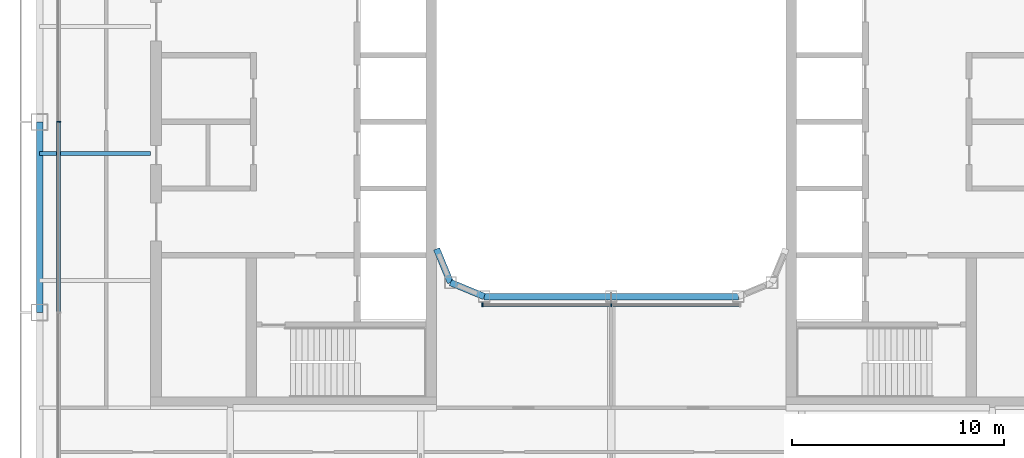
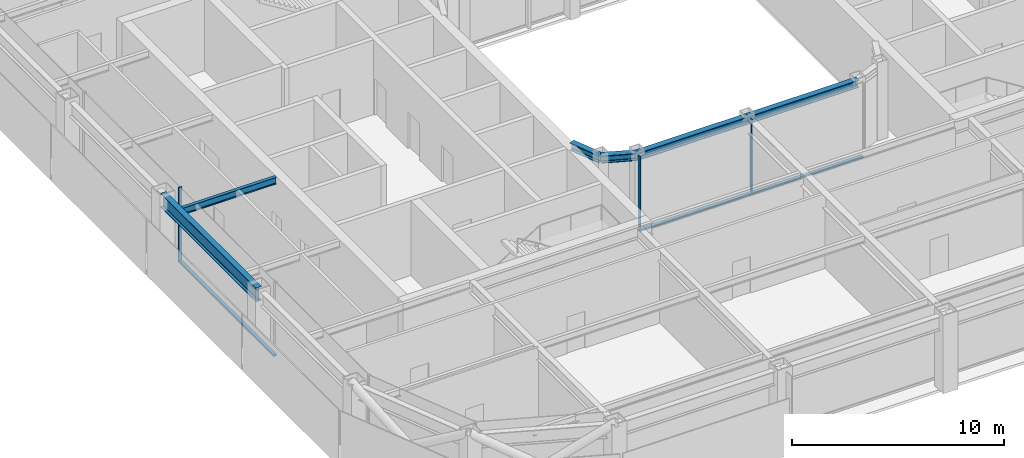
# One storey, part 3 of 23: 6 beams, 6 members, 2 elements without a shape of their own.
"""IFC4 building model written with IfcOpenShell, lengths in metres."""

from ifc_helpers import new_model, si_unit, direction, frame, origin, origin_2d, place, context, subcontext, project, spatial, rectangle, i_section, extrude, material, layer, layer_set, material_profile, profile_set, type_object, element, aggregate, save


model = new_model("IFC4")

# Units and contexts
model_context = context("Model", 3, precision=1e-05, world=origin(), true_north=direction((0.0, 1.0)))
body_context = subcontext(model_context, "Body", "Model", "MODEL_VIEW")
ifc_project = project(units=[si_unit("LENGTHUNIT", "METRE"), si_unit("AREAUNIT", "SQUARE_METRE"), si_unit("VOLUMEUNIT", "CUBIC_METRE"), si_unit("PLANEANGLEUNIT", "RADIAN"), si_unit("MASSUNIT", "GRAM", prefix="KILO")], contexts=[model_context])

# Site, building, storey
site_placement = place(None, origin())
site = spatial("IfcSite", under=ifc_project, at=site_placement, CompositionType="ELEMENT")
building_placement = place(site_placement, origin())
building = spatial("IfcBuilding", under=site, at=building_placement, Name="Siwar Civic Tower", CompositionType="ELEMENT")
storey_placement = place(building_placement, frame((0.0, 0.0, 273.699951171875)))
storey = spatial("IfcBuildingStorey", under=building, at=storey_placement, Name="L59", CompositionType="ELEMENT", Elevation=273.699951171875)

# Curtain wall, member
ifc_material_1 = material(Name="Aluminium and glass", Category="aluminium")
ifc_layer_1 = layer(ifc_material_1, 0.179931640625)
ifc_layer_set_1 = layer_set([ifc_layer_1], Name="Aluminium and glass")
curtain_wall_type_1 = type_object("IfcCurtainWallType", Name="ENV-CW-C", PredefinedType="NOTDEFINED", material=ifc_layer_set_1)
curtain_wall_1_placement = place(storey_placement, origin())
curtain_wall_1 = element("IfcCurtainWall", 1, at=curtain_wall_1_placement, inside=storey, type_object=curtain_wall_type_1, Name="Curtain wall C W", PredefinedType="NOTDEFINED")
ifc_material_2 = material(Name="Aluminium 6063-T6", Category="aluminium")
ifc_material_profile_1 = material_profile(ifc_material_2, rectangle(XDim=0.179931640625, YDim=0.06005859375, at=origin_2d()), Name="AL 180x60")
ifc_profile_set_1 = profile_set([ifc_material_profile_1], Name="Aluminium 6063-T6")
member_type_1 = type_object("IfcMemberType", Name="ENV-MULLION-C", PredefinedType="MULLION", material=ifc_profile_set_1)
member_1_placement = place(storey_placement, frame((-26.10009765625, 0.0, 0.0), z_axis=(0.0, 0.0, 1.0), x_axis=(1.0, 0.0, 0.0)))
member_1 = element("IfcMember", 2, at=member_1_placement, type_object=member_type_1, Name="Mullion C W 3", PredefinedType="MULLION", context=body_context, shape_type="SweptSolid", body=[
    extrude(rectangle(XDim=0.179931640625, YDim=0.06005859375, at=origin_2d()), origin(), (0.0, 0.0, 1.0), 4.300048828125),
])

# Curtain wall, members
ifc_material_3 = material(Name="Aluminium and glass", Category="aluminium")
ifc_layer_2 = layer(ifc_material_3, 0.179931640625)
ifc_layer_set_2 = layer_set([ifc_layer_2], Name="Aluminium and glass")
curtain_wall_type_2 = type_object("IfcCurtainWallType", Name="ENV-CW-W", PredefinedType="NOTDEFINED", material=ifc_layer_set_2)
curtain_wall_2_placement = place(storey_placement, origin())
curtain_wall_2 = element("IfcCurtainWall", 3, at=curtain_wall_2_placement, inside=storey, type_object=curtain_wall_type_2, Name="Curtain wall W WS", PredefinedType="NOTDEFINED")
ifc_material_4 = material(Name="Aluminium 6063-T6", Category="aluminium")
ifc_material_profile_2 = material_profile(ifc_material_4, rectangle(XDim=0.179931640625, YDim=0.06005859375, at=origin_2d()), Name="AL 180x60")
ifc_profile_set_2 = profile_set([ifc_material_profile_2], Name="Aluminium 6063-T6")
member_type_2 = type_object("IfcMemberType", Name="ENV-MULLION-W", PredefinedType="MULLION", material=ifc_profile_set_2)
member_2_placement = place(storey_placement, frame((-6.07666015625, -8.635009765625, 0.0), z_axis=(0.0, 0.0, 1.0), x_axis=(0.0, 1.0, 0.0)))
member_2 = element("IfcMember", 4, at=member_2_placement, type_object=member_type_2, Name="Mullion W WS 1", PredefinedType="MULLION", context=body_context, shape_type="SweptSolid", body=[
    extrude(rectangle(XDim=0.179931640625, YDim=0.06005859375, at=origin_2d()), origin(), (0.0, 0.0, 1.0), 4.300048828125),
])
member_3_placement = place(storey_placement, frame((0.0, -8.635009765625, 0.0), z_axis=(0.0, 0.0, 1.0), x_axis=(0.0, 1.0, 0.0)))
member_3 = element("IfcMember", 5, at=member_3_placement, type_object=member_type_2, Name="Mullion W WS 2", PredefinedType="MULLION", context=body_context, shape_type="SweptSolid", body=[
    extrude(rectangle(XDim=0.179931640625, YDim=0.06005859375, at=origin_2d()), origin(), (0.0, 0.0, 1.0), 4.300048828125),
])

# Member
ifc_material_5 = material(Name="Aluminium 6063-T6", Category="aluminium")
ifc_material_profile_3 = material_profile(ifc_material_5, rectangle(XDim=0.179931640625, YDim=0.10009765625, at=origin_2d()), Name="AL 180x100")
ifc_profile_set_3 = profile_set([ifc_material_profile_3], Name="Aluminium 6063-T6")
member_type_3 = type_object("IfcMemberType", Name="ENV-TRANSOM-C", PredefinedType="USERDEFINED", material=ifc_profile_set_3)
member_4_placement = place(storey_placement, frame((-26.10009765625, -0.030029296875, 0.050048828125), z_axis=(0.0, -1.0, 0.0), x_axis=(1.0, 0.0, 0.0)))
member_4 = element("IfcMember", 6, at=member_4_placement, type_object=member_type_3, Name="Transom C W 3", ObjectType="TRANSOM", PredefinedType="USERDEFINED", context=body_context, shape_type="SweptSolid", body=[
    extrude(rectangle(XDim=0.179931640625, YDim=0.10009765625, at=origin_2d()), origin(), (0.0, 0.0, 1.0), 8.93994140625),
])

aggregate(curtain_wall_1, [member_1, member_4])

ifc_material_6 = material(Name="Aluminium 6063-T6", Category="aluminium")
ifc_material_profile_4 = material_profile(ifc_material_6, rectangle(XDim=0.179931640625, YDim=0.10009765625, at=origin_2d()), Name="AL 180x100")
ifc_profile_set_4 = profile_set([ifc_material_profile_4], Name="Aluminium 6063-T6")
member_type_4 = type_object("IfcMemberType", Name="ENV-TRANSOM-W", PredefinedType="USERDEFINED", material=ifc_profile_set_4)
member_5_placement = place(storey_placement, frame((-6.046630859375, -8.635009765625, 0.050048828125), z_axis=(1.0, 0.0, 0.0), x_axis=(0.0, 1.0, 0.0)))
member_5 = element("IfcMember", 7, at=member_5_placement, type_object=member_type_4, Name="Transom W WS 1", ObjectType="TRANSOM", PredefinedType="USERDEFINED", context=body_context, shape_type="SweptSolid", body=[
    extrude(rectangle(XDim=0.179931640625, YDim=0.10009765625, at=origin_2d()), origin(), (0.0, 0.0, 1.0), 6.0166015625),
])

member_6_placement = place(storey_placement, frame((0.030029296875, -8.635009765625, 0.050048828125), z_axis=(1.0, 0.0, 0.0), x_axis=(0.0, 1.0, 0.0)))
member_6 = element("IfcMember", 8, at=member_6_placement, type_object=member_type_4, Name="Transom W WS 2", ObjectType="TRANSOM", PredefinedType="USERDEFINED", context=body_context, shape_type="SweptSolid", body=[
    extrude(rectangle(XDim=0.179931640625, YDim=0.10009765625, at=origin_2d()), origin(), (0.0, 0.0, 1.0), 6.0166015625),
])

aggregate(curtain_wall_2, [member_2, member_3, member_5, member_6])

# Beams
ifc_material_7 = material(Name="Steel S355", Category="steel")
ifc_material_profile_5 = material_profile(ifc_material_7, i_section(OverallWidth=0.179931640625, OverallDepth=0.39990234375, WebThickness=0.008544921875, FlangeThickness=0.013427734375, FilletRadius=0.02099609375, at=origin_2d()), Name="IPE400")
ifc_profile_set_5 = profile_set([ifc_material_profile_5], Name="Steel S355")
beam_type_1 = type_object("IfcBeamType", Name="STR-FB-IPE400", PredefinedType="JOIST", material=ifc_profile_set_5)
beam_1_placement = place(storey_placement, frame((-27.0, -1.5, 4.10009765625), z_axis=(1.0, 0.0, 0.0), x_axis=(0.0, 1.0, 0.0)))
element("IfcBeam", 9, at=beam_1_placement, inside=storey, type_object=beam_type_1, Name="L59/bm/F023", PredefinedType="JOIST", context=body_context, shape_type="SweptSolid", body=[
    extrude(i_section(OverallWidth=0.179931640625, OverallDepth=0.39990234375, WebThickness=0.008544921875, FlangeThickness=0.013427734375, FilletRadius=0.02099609375, at=origin_2d()), origin(), (0.0, 0.0, 1.0), 5.25),
])
ifc_material_8 = material(Name="Steel S355", Category="steel")
ifc_material_profile_6 = material_profile(ifc_material_8, i_section(OverallWidth=0.306884765625, OverallDepth=0.431884765625, WebThickness=0.02099609375, FlangeThickness=0.0400390625, FilletRadius=0.027099609375, at=origin_2d()), Name="HEM400")
ifc_profile_set_6 = profile_set([ifc_material_profile_6], Name="Steel S355")
beam_type_2 = type_object("IfcBeamType", Name="STR-RB-HEM400", PredefinedType="BEAM", material=ifc_profile_set_6)
beam_2_placement = place(storey_placement, frame((-7.591064453125, -7.591064453125, 4.083984375), z_axis=(0.923901072997, -0.382631424892, 0.0), x_axis=(0.382631424892, 0.923901072997, 0.0)))
element("IfcBeam", 10, at=beam_2_placement, inside=storey, type_object=beam_type_2, Name="L59/bm/RS0", PredefinedType="BEAM", context=body_context, shape_type="SweptSolid", body=[
    extrude(i_section(OverallWidth=0.306884765625, OverallDepth=0.431884765625, WebThickness=0.02099609375, FlangeThickness=0.0400390625, FilletRadius=0.027099609375, at=origin_2d()), origin(), (0.0, 0.0, 1.0), 1.72216796875),
])
for number, where, z_axis, x_axis, name in (
    (11, (-6.0, -8.25, 4.083984375), (1.0, 0.0, 0.0), (0.0, 1.0, 0.0), "L59/bm/RS1"),
    (12, (0.0, -8.25, 4.083984375), (1.0, 0.0, 0.0), (0.0, 1.0, 0.0), "L59/bm/RS2"),
):
    element("IfcBeam", number, at=place(storey_placement, frame(where, z_axis=z_axis, x_axis=x_axis)), inside=storey, type_object=beam_type_2, Name=name, PredefinedType="BEAM", context=body_context, shape_type="SweptSolid", body=[
        extrude(i_section(OverallWidth=0.306884765625, OverallDepth=0.431884765625, WebThickness=0.02099609375, FlangeThickness=0.0400390625, FilletRadius=0.027099609375, at=origin_2d()), origin(), (0.0, 0.0, 1.0), 6.0),
    ])
beam_3_placement = place(storey_placement, frame((-7.591064453125, -7.591064453125, 4.083984375), z_axis=(-0.382631424892, 0.923901072997, 0.0), x_axis=(-0.923901072997, -0.382631424892, 0.0)))
element("IfcBeam", 13, at=beam_3_placement, inside=storey, type_object=beam_type_2, Name="L59/bm/RSEW", PredefinedType="BEAM", context=body_context, shape_type="SweptSolid", body=[
    extrude(i_section(OverallWidth=0.306884765625, OverallDepth=0.431884765625, WebThickness=0.02099609375, FlangeThickness=0.0400390625, FilletRadius=0.027099609375, at=origin_2d()), origin(), (0.0, 0.0, 1.0), 1.72216796875),
])
ifc_material_9 = material(Name="Steel S355", Category="steel")
ifc_material_profile_7 = material_profile(ifc_material_9, i_section(OverallWidth=0.300048828125, OverallDepth=0.800048828125, WebThickness=0.017578125, FlangeThickness=0.032958984375, FilletRadius=0.030029296875, at=origin_2d()), Name="HEB800")
ifc_profile_set_7 = profile_set([ifc_material_profile_7], Name="Steel S355")
beam_type_3 = type_object("IfcBeamType", Name="STR-SB-HEB800", PredefinedType="BEAM", material=ifc_profile_set_7)
beam_4_placement = place(storey_placement, frame((-27.0, 0.0, 3.900146484375), z_axis=(0.0, -1.0, 0.0), x_axis=(1.0, 0.0, 0.0)))
element("IfcBeam", 14, at=beam_4_placement, inside=storey, type_object=beam_type_3, Name="L59/bm/SW-2", PredefinedType="BEAM", context=body_context, shape_type="SweptSolid", body=[
    extrude(i_section(OverallWidth=0.300048828125, OverallDepth=0.800048828125, WebThickness=0.017578125, FlangeThickness=0.032958984375, FilletRadius=0.030029296875, at=origin_2d()), origin(), (0.0, 0.0, 1.0), 9.0),
])

save(model, "model.ifc")
